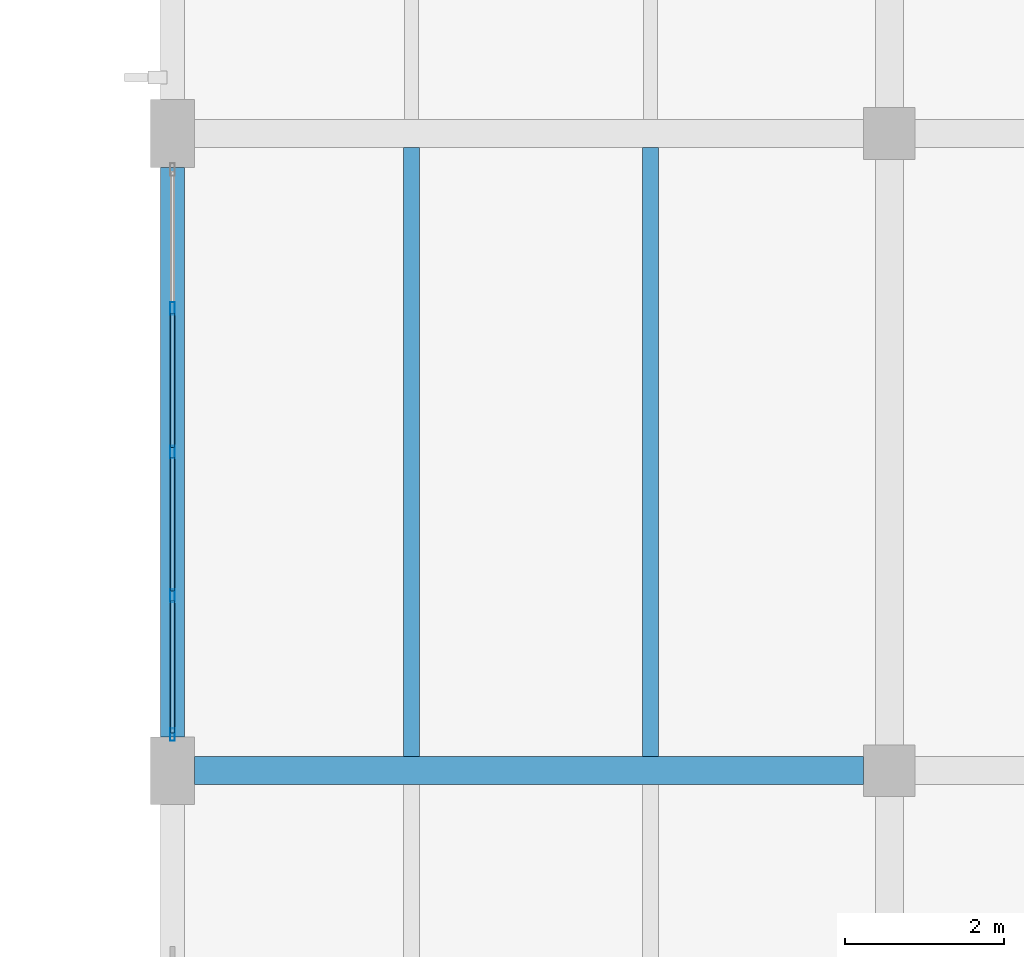
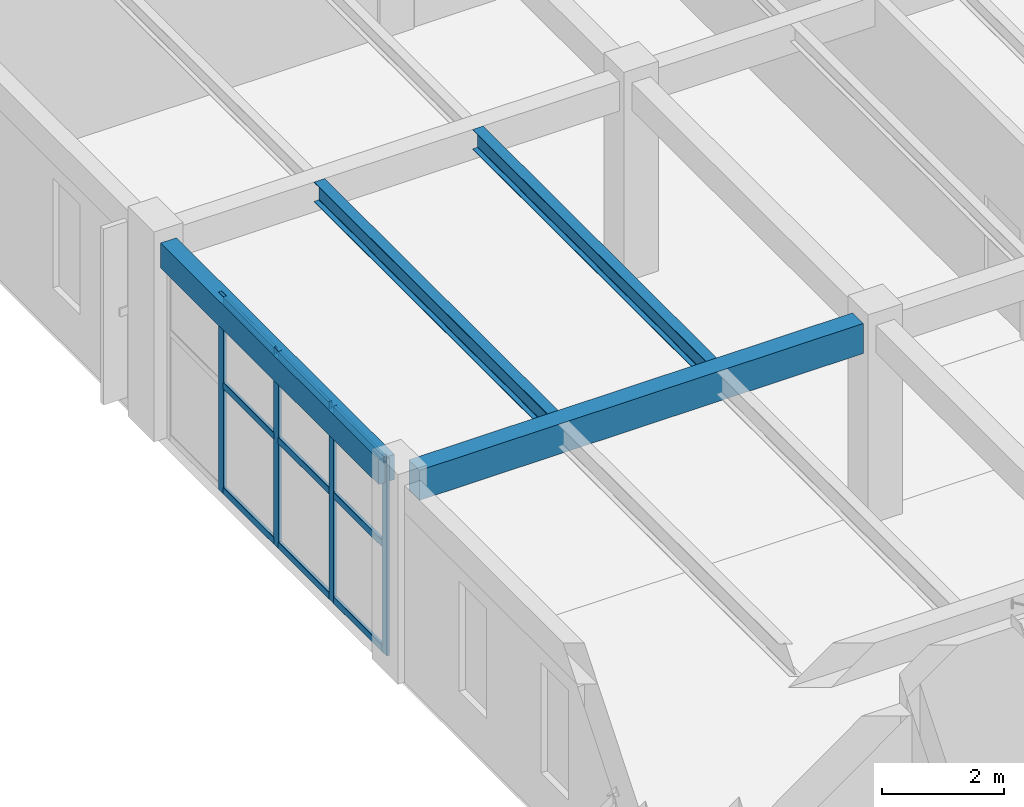
# One storey, part 39 of 71: 13 members, 4 beams, 1 element without a shape of its own.
"""IFC4 building model written with IfcOpenShell, lengths in metres."""

import ifcopenshell
import ifcopenshell.guid

model = None  # the IFC model being written
_history = None  # IfcOwnerHistory: only IFC2X3 demands one
_inside = {}  # id of a spatial element -> (the spatial element, [elements in it])
_under = {}  # id of a project, library or spatial element -> (it, [spatial elements below it])
_declared = {}  # id of a project -> (the project, [libraries it declares])
_typed = {}  # id of a type object -> (the type object, [elements of that type])
_made_of = {}  # id of a material, layer set ... -> (it, [elements and type objects made of it])


def new_model(schema):
    """Start an empty IFC model of exactly this schema.

    Asked for "IFC4X3", IfcOpenShell would pick the latest addendum, in which some entities
    have other attributes; the version numbers below select the first issue.
    IFC2X3 requires an IfcOwnerHistory on every rooted entity: one is made here for all.
    """
    global model, _history
    if schema == "IFC4X3":
        model = ifcopenshell.file(schema_version=(4, 3, 0, 0))
    else:
        model = ifcopenshell.file(schema=schema)
    _inside.clear()
    _under.clear()
    _declared.clear()
    _typed.clear()
    _made_of.clear()
    _history = None
    if model.schema == "IFC2X3":
        org = make("IfcOrganization", Name="unknown")
        user = make(
            "IfcPersonAndOrganization",
            ThePerson=make("IfcPerson", FamilyName="unknown"),
            TheOrganization=org,
        )
        app = make(
            "IfcApplication",
            ApplicationDeveloper=org,
            Version="unknown",
            ApplicationFullName="unknown",
            ApplicationIdentifier="unknown",
        )
        _history = make(
            "IfcOwnerHistory",
            OwningUser=user,
            OwningApplication=app,
            ChangeAction="ADDED",
            CreationDate=0,
        )
    return model


def make(cls, **values):
    """One entity of the class cls with the attributes given. An attribute that is None is left unset."""
    return model.create_entity(
        cls, **{name: value for name, value in values.items() if value is not None}
    )


def rooted(cls, **values):
    """An entity with a GlobalId (a new one), such as an element, a storey or a relation."""
    return make(cls, GlobalId=ifcopenshell.guid.new(), OwnerHistory=_history, **values)


def si_unit(unit_type, name, prefix=None):
    """IfcSIUnit, for example si_unit("LENGTHUNIT", "METRE", prefix="MILLI")."""
    return make("IfcSIUnit", UnitType=unit_type, Prefix=prefix, Name=name)


def derived_unit(unit_type, elements):
    """IfcDerivedUnit: a product of units, each with its exponent."""
    return make(
        "IfcDerivedUnit",
        Elements=[
            make("IfcDerivedUnitElement", Unit=unit, Exponent=power)
            for unit, power in elements
        ],
        UnitType=unit_type,
    )


def assignment(units):
    """IfcUnitAssignment: the units of a project."""
    return None if units is None else make("IfcUnitAssignment", Units=units)


def point(xyz):
    """IfcCartesianPoint."""
    return None if xyz is None else make("IfcCartesianPoint", Coordinates=xyz)


def direction(xyz):
    """IfcDirection."""
    return None if xyz is None else make("IfcDirection", DirectionRatios=xyz)


def frame(location, z_axis=None, x_axis=None):
    """IfcAxis2Placement3D, a coordinate frame: its origin and axes. An axis left out is left unset."""
    return make(
        "IfcAxis2Placement3D",
        Location=point(location),
        Axis=direction(z_axis),
        RefDirection=direction(x_axis),
    )


def frame_2d(location, x_axis=None):
    """IfcAxis2Placement2D, a coordinate frame in the plane: its origin and x axis."""
    return make(
        "IfcAxis2Placement2D", Location=point(location), RefDirection=direction(x_axis)
    )


def origin():
    """The frame at (0, 0, 0) with its axes left unset."""
    return frame((0.0, 0.0, 0.0))


def origin_2d():
    """The frame at (0, 0) in the plane with its x axis left unset."""
    return frame_2d((0.0, 0.0))


def place(relative_to, where):
    """IfcLocalPlacement: puts the frame where relative to a parent placement (None: the world)."""
    return make(
        "IfcLocalPlacement", PlacementRelTo=relative_to, RelativePlacement=where
    )


def context(
    kind, dimensions, precision=None, world=None, true_north=None, identifier=None
):
    """IfcGeometricRepresentationContext, for example the 3D "Model" context."""
    return make(
        "IfcGeometricRepresentationContext",
        ContextIdentifier=identifier,
        ContextType=kind,
        CoordinateSpaceDimension=dimensions,
        Precision=precision,
        WorldCoordinateSystem=world,
        TrueNorth=true_north,
    )


def subcontext(parent, identifier, kind, view, scale=None):
    """IfcGeometricRepresentationSubContext, for example "Body" below "Model"."""
    return make(
        "IfcGeometricRepresentationSubContext",
        ContextIdentifier=identifier,
        ContextType=kind,
        ParentContext=parent,
        TargetScale=scale,
        TargetView=view,
    )


def project(units=None, contexts=None):
    """IfcProject with its units and contexts."""
    return rooted(
        "IfcProject",
        Name="project",
        RepresentationContexts=contexts,
        UnitsInContext=assignment(units),
    )


def spatial(cls, under=None, at=None, **own):
    """A site, building, storey or space (cls), placed at a placement, below another one or the project."""
    s = rooted(cls, ObjectPlacement=at, **own)
    if under is not None:
        _under.setdefault(under.id(), (under, []))[1].append(s)
    return s


def profile(cls, at=None, kind="AREA", **sizes):
    """A parametric profile (cls). Its sizes go by their IFC names, for example OverallWidth=200.0."""
    return make(cls, ProfileType=kind, Position=at, **sizes)


def rectangle(**sizes):
    """IfcRectangleProfileDef."""
    return profile("IfcRectangleProfileDef", **sizes)


def hollow_rectangle(**sizes):
    """IfcRectangleHollowProfileDef."""
    return profile("IfcRectangleHollowProfileDef", **sizes)


def i_section(**sizes):
    """IfcIShapeProfileDef."""
    return profile("IfcIShapeProfileDef", **sizes)


def extrude(swept, where, along, depth):
    """IfcExtrudedAreaSolid: the profile swept, set in the frame where, extruded along a direction by depth."""
    return make(
        "IfcExtrudedAreaSolid",
        SweptArea=swept,
        Position=where,
        ExtrudedDirection=direction(along),
        Depth=depth,
    )


def shape(context_of_items, identifier, shape_type, items):
    """IfcShapeRepresentation: the items that make up one representation, for example the "Body"."""
    return make(
        "IfcShapeRepresentation",
        ContextOfItems=context_of_items,
        RepresentationIdentifier=identifier,
        RepresentationType=shape_type,
        Items=items,
    )


def material(Name=None, Category=None):
    """IfcMaterial."""
    return make("IfcMaterial", Name=Name, Category=Category)


def material_profile(
    of_material, cross_section, Name=None, Category=None, Priority=None
):
    """IfcMaterialProfile: a cross section and its material."""
    return make(
        "IfcMaterialProfile",
        Name=Name,
        Material=of_material,
        Profile=cross_section,
        Priority=Priority,
        Category=Category,
    )


def profile_set(profiles, Name=None, composite=None):
    """IfcMaterialProfileSet."""
    return make(
        "IfcMaterialProfileSet",
        Name=Name,
        MaterialProfiles=profiles,
        CompositeProfile=composite,
    )


def made_of(thing, what):
    """Note that an element or type object is made of a material, layer set ...; save() writes the relation."""
    if what is not None:
        _made_of.setdefault(what.id(), (what, []))[1].append(thing)
    return thing


def type_object(cls, material=None, **own):
    """A type object (cls), such as IfcWallType, which elements share."""
    return made_of(rooted(cls, **own), material)


def element(
    cls,
    number,
    at=None,
    inside=None,
    cuts=None,
    type_object=None,
    material=None,
    context=None,
    identifier="Body",
    shape_type=None,
    held_by="IfcProductDefinitionShape",
    body=None,
    shapes=None,
    **own,
):
    """One element of the class cls, such as IfcWall. Its Tag is "e" and its number.

    at: its placement. inside: the storey or other place that contains it. cuts: it is an
    opening in that element (IfcRelVoidsElement). A single representation is given by context,
    identifier, shape_type and body (its items); several are given by shapes. held_by: the class
    of the entity that holds the representations. save() writes the other relations.
    """
    e = rooted(cls, Tag="e%d" % number, ObjectPlacement=at, **own)
    if body is not None:
        shapes = [shape(context, identifier, shape_type, body)]
    if shapes is not None:
        e.Representation = make(held_by, Representations=shapes)
    if inside is not None:
        _inside.setdefault(inside.id(), (inside, []))[1].append(e)
    if cuts is not None:
        rooted(
            "IfcRelVoidsElement", RelatingBuildingElement=cuts, RelatedOpeningElement=e
        )
    if type_object is not None:
        _typed.setdefault(type_object.id(), (type_object, []))[1].append(e)
    return made_of(e, material)


def aggregate(whole, parts):
    """IfcRelAggregates: a whole, such as a stair, and the parts it consists of."""
    return rooted("IfcRelAggregates", RelatingObject=whole, RelatedObjects=parts)


def save(model, path):
    """Write the relations noted so far, then the file.

    IfcRelAggregates (storeys below a building ...), IfcRelContainedInSpatialStructure (elements
    in a storey), IfcRelDefinesByType, IfcRelAssociatesMaterial and IfcRelDeclares: one each for
    every whole, place, type object, material and project.
    """
    for whole, parts in _under.values():
        aggregate(whole, parts)
    for where, things in _inside.values():
        rooted(
            "IfcRelContainedInSpatialStructure",
            RelatedElements=things,
            RelatingStructure=where,
        )
    for kind, things in _typed.values():
        rooted("IfcRelDefinesByType", RelatedObjects=things, RelatingType=kind)
    for what, things in _made_of.values():
        rooted("IfcRelAssociatesMaterial", RelatedObjects=things, RelatingMaterial=what)
    for by, libraries in _declared.values():
        rooted("IfcRelDeclares", RelatingContext=by, RelatedDefinitions=libraries)
    model.write(path)


model = new_model("IFC4")

# Units and contexts
model_context = context("Model", 3, precision=1e-05, world=origin(), true_north=direction((0.0, 1.0)))
body_context = subcontext(model_context, "Body", "Model", "MODEL_VIEW")
ifc_project = project(units=[si_unit("LENGTHUNIT", "METRE"), si_unit("AREAUNIT", "SQUARE_METRE"), si_unit("VOLUMEUNIT", "CUBIC_METRE"), si_unit("PLANEANGLEUNIT", "RADIAN"), si_unit("MASSUNIT", "GRAM", prefix="KILO"), derived_unit("THERMALTRANSMITTANCEUNIT", [(si_unit("MASSUNIT", "GRAM", prefix="KILO"), 1), (si_unit("TIMEUNIT", "SECOND"), -3), (si_unit("THERMODYNAMICTEMPERATUREUNIT", "KELVIN"), -1)])], contexts=[model_context])

# Site, building, storey
site_placement = place(None, origin())
site = spatial("IfcSite", under=ifc_project, at=site_placement, CompositionType="ELEMENT")
building_placement = place(site_placement, origin())
building = spatial("IfcBuilding", under=site, at=building_placement, Name="Zhenchuan Archway Interchange", CompositionType="ELEMENT")
storey_placement = place(building_placement, frame((0.0, 0.0, 18.60009765625)))
storey = spatial("IfcBuildingStorey", under=building, at=storey_placement, Name="L04", CompositionType="ELEMENT", Elevation=18.60009765625)

# Beam
ifc_material_1 = material(Name="Concrete C40", Category="concrete")
ifc_material_profile_1 = material_profile(ifc_material_1, rectangle(XDim=0.35009765625, YDim=0.60009765625, at=origin_2d()), Name="RC 350x600")
ifc_profile_set_1 = profile_set([ifc_material_profile_1], Name="Concrete C40")
beam_type_1 = type_object("IfcBeamType", Name="BM_RC_350x600", PredefinedType="BEAM", material=ifc_profile_set_1)
beam_1_placement = place(storey_placement, frame((144.27490234375, 72.0, 3.639892578125), z_axis=(1.0, 0.0, 0.0), x_axis=(0.0, 1.0, 0.0)))
element("IfcBeam", 1, at=beam_1_placement, inside=storey, type_object=beam_type_1, Name="Beam K:17-18 (L04)", PredefinedType="BEAM", context=body_context, shape_type="SweptSolid", body=[
    extrude(rectangle(XDim=0.35009765625, YDim=0.60009765625, at=origin_2d()), origin(), (0.0, 0.0, 1.0), 8.400146484375),
])

# Curtain wall, members
ifc_material_2 = material(Name="Anodised Aluminium", Category="aluminium")
curtain_wall_type = type_object("IfcCurtainWallType", Name="CW_UNIT_1", PredefinedType="NOTDEFINED", material=ifc_material_2)
curtain_wall_placement = place(storey_placement, origin())
curtain_wall = element("IfcCurtainWall", 2, at=curtain_wall_placement, inside=storey, type_object=curtain_wall_type, Name="Unitised curtain wall CW:L04:192", PredefinedType="NOTDEFINED")
ifc_material_profile_2 = material_profile(ifc_material_2, hollow_rectangle(XDim=0.06005859375, YDim=0.159912109375, WallThickness=0.00390625, InnerFilletRadius=0.00390625, OuterFilletRadius=0.008056640625, at=origin_2d()), Name="ALU 160x60x4")
ifc_profile_set_2 = profile_set([ifc_material_profile_2], Name="Anodised Aluminium")
member_type_1 = type_object("IfcMemberType", Name="CW_MUL_150", PredefinedType="MULLION", material=ifc_profile_set_2)
member_1_placement = place(storey_placement, frame((144.0, 72.452880859375, 0.0), z_axis=(0.0, 0.0, 1.0), x_axis=(1.0, 0.0, 0.0)))
member_1 = element("IfcMember", 3, at=member_1_placement, type_object=member_type_1, Name="CW:L04:192 mullion 0", PredefinedType="MULLION", context=body_context, shape_type="SweptSolid", body=[
    extrude(hollow_rectangle(XDim=0.06005859375, YDim=0.159912109375, WallThickness=0.00390625, InnerFilletRadius=0.00390625, OuterFilletRadius=0.008056640625, at=origin_2d()), origin(), (0.0, 0.0, 1.0), 3.93994140625),
])
member_2_placement = place(storey_placement, frame((144.0, 74.196533203125, 0.0), z_axis=(0.0, 0.0, 1.0), x_axis=(1.0, 0.0, 0.0)))
member_2 = element("IfcMember", 4, at=member_2_placement, type_object=member_type_1, Name="CW:L04:192 mullion 1", PredefinedType="MULLION", context=body_context, shape_type="SweptSolid", body=[
    extrude(hollow_rectangle(XDim=0.06005859375, YDim=0.159912109375, WallThickness=0.00390625, InnerFilletRadius=0.00390625, OuterFilletRadius=0.008056640625, at=origin_2d()), origin(), (0.0, 0.0, 1.0), 3.93994140625),
])
member_3_placement = place(storey_placement, frame((144.0, 76.0, 0.0), z_axis=(0.0, 0.0, 1.0), x_axis=(1.0, 0.0, 0.0)))
member_3 = element("IfcMember", 5, at=member_3_placement, type_object=member_type_1, Name="CW:L04:192 mullion 2", PredefinedType="MULLION", context=body_context, shape_type="SweptSolid", body=[
    extrude(hollow_rectangle(XDim=0.06005859375, YDim=0.159912109375, WallThickness=0.00390625, InnerFilletRadius=0.00390625, OuterFilletRadius=0.008056640625, at=origin_2d()), origin(), (0.0, 0.0, 1.0), 3.93994140625),
])
member_4_placement = place(storey_placement, frame((144.0, 77.803466796875, 0.0), z_axis=(0.0, 0.0, 1.0), x_axis=(1.0, 0.0, 0.0)))
member_4 = element("IfcMember", 6, at=member_4_placement, type_object=member_type_1, Name="CW:L04:192 mullion 3", PredefinedType="MULLION", context=body_context, shape_type="SweptSolid", body=[
    extrude(hollow_rectangle(XDim=0.06005859375, YDim=0.159912109375, WallThickness=0.00390625, InnerFilletRadius=0.00390625, OuterFilletRadius=0.008056640625, at=origin_2d()), origin(), (0.0, 0.0, 1.0), 3.93994140625),
])
ifc_material_profile_3 = material_profile(ifc_material_2, hollow_rectangle(XDim=0.06005859375, YDim=0.139892578125, WallThickness=0.00341796875, InnerFilletRadius=0.00341796875, OuterFilletRadius=0.007080078125, at=origin_2d()), Name="ALU 140x60x3.5")
ifc_profile_set_3 = profile_set([ifc_material_profile_3], Name="Anodised Aluminium")
member_type_2 = type_object("IfcMemberType", Name="CW_TRN_140", PredefinedType="USERDEFINED", material=ifc_profile_set_3)
member_5_placement = place(storey_placement, frame((144.0, 72.472900390625, 0.059814453125), z_axis=(0.0, 1.0, 0.0), x_axis=(-1.0, 0.0, 0.0)))
member_5 = element("IfcMember", 7, at=member_5_placement, type_object=member_type_2, Name="CW:L04:192 transom 0-1", ObjectType="TRANSOM", PredefinedType="USERDEFINED", context=body_context, shape_type="SweptSolid", body=[
    extrude(hollow_rectangle(XDim=0.06005859375, YDim=0.139892578125, WallThickness=0.00341796875, InnerFilletRadius=0.00341796875, OuterFilletRadius=0.007080078125, at=origin_2d()), origin(), (0.0, 0.0, 1.0), 1.66357421875),
])
member_6_placement = place(storey_placement, frame((144.0, 72.472900390625, 2.156005859375), z_axis=(0.0, 1.0, 0.0), x_axis=(-1.0, 0.0, 0.0)))
member_6 = element("IfcMember", 8, at=member_6_placement, type_object=member_type_2, Name="CW:L04:192 transom 0-2", ObjectType="TRANSOM", PredefinedType="USERDEFINED", context=body_context, shape_type="SweptSolid", body=[
    extrude(hollow_rectangle(XDim=0.06005859375, YDim=0.139892578125, WallThickness=0.00341796875, InnerFilletRadius=0.00341796875, OuterFilletRadius=0.007080078125, at=origin_2d()), origin(), (0.0, 0.0, 1.0), 1.66357421875),
])
member_7_placement = place(storey_placement, frame((144.0, 72.472900390625, 3.85986328125), z_axis=(0.0, 1.0, 0.0), x_axis=(-1.0, 0.0, 0.0)))
member_7 = element("IfcMember", 9, at=member_7_placement, type_object=member_type_2, Name="CW:L04:192 transom 0-3", ObjectType="TRANSOM", PredefinedType="USERDEFINED", context=body_context, shape_type="SweptSolid", body=[
    extrude(hollow_rectangle(XDim=0.06005859375, YDim=0.139892578125, WallThickness=0.00341796875, InnerFilletRadius=0.00341796875, OuterFilletRadius=0.007080078125, at=origin_2d()), origin(), (0.0, 0.0, 1.0), 1.66357421875),
])
member_8_placement = place(storey_placement, frame((144.0, 74.256591796875, 0.059814453125), z_axis=(0.0, 1.0, 0.0), x_axis=(-1.0, 0.0, 0.0)))
member_8 = element("IfcMember", 10, at=member_8_placement, type_object=member_type_2, Name="CW:L04:192 transom 1-1", ObjectType="TRANSOM", PredefinedType="USERDEFINED", context=body_context, shape_type="SweptSolid", body=[
    extrude(hollow_rectangle(XDim=0.06005859375, YDim=0.139892578125, WallThickness=0.00341796875, InnerFilletRadius=0.00341796875, OuterFilletRadius=0.007080078125, at=origin_2d()), origin(), (0.0, 0.0, 1.0), 1.683349609375),
])
member_9_placement = place(storey_placement, frame((144.0, 74.256591796875, 2.156005859375), z_axis=(0.0, 1.0, 0.0), x_axis=(-1.0, 0.0, 0.0)))
member_9 = element("IfcMember", 11, at=member_9_placement, type_object=member_type_2, Name="CW:L04:192 transom 1-2", ObjectType="TRANSOM", PredefinedType="USERDEFINED", context=body_context, shape_type="SweptSolid", body=[
    extrude(hollow_rectangle(XDim=0.06005859375, YDim=0.139892578125, WallThickness=0.00341796875, InnerFilletRadius=0.00341796875, OuterFilletRadius=0.007080078125, at=origin_2d()), origin(), (0.0, 0.0, 1.0), 1.683349609375),
])
member_10_placement = place(storey_placement, frame((144.0, 74.256591796875, 3.85986328125), z_axis=(0.0, 1.0, 0.0), x_axis=(-1.0, 0.0, 0.0)))
member_10 = element("IfcMember", 12, at=member_10_placement, type_object=member_type_2, Name="CW:L04:192 transom 1-3", ObjectType="TRANSOM", PredefinedType="USERDEFINED", context=body_context, shape_type="SweptSolid", body=[
    extrude(hollow_rectangle(XDim=0.06005859375, YDim=0.139892578125, WallThickness=0.00341796875, InnerFilletRadius=0.00341796875, OuterFilletRadius=0.007080078125, at=origin_2d()), origin(), (0.0, 0.0, 1.0), 1.683349609375),
])
member_11_placement = place(storey_placement, frame((144.0, 76.06005859375, 0.059814453125), z_axis=(0.0, 1.0, 0.0), x_axis=(-1.0, 0.0, 0.0)))
member_11 = element("IfcMember", 13, at=member_11_placement, type_object=member_type_2, Name="CW:L04:192 transom 2-1", ObjectType="TRANSOM", PredefinedType="USERDEFINED", context=body_context, shape_type="SweptSolid", body=[
    extrude(hollow_rectangle(XDim=0.06005859375, YDim=0.139892578125, WallThickness=0.00341796875, InnerFilletRadius=0.00341796875, OuterFilletRadius=0.007080078125, at=origin_2d()), origin(), (0.0, 0.0, 1.0), 1.683349609375),
])
member_12_placement = place(storey_placement, frame((144.0, 76.06005859375, 2.156005859375), z_axis=(0.0, 1.0, 0.0), x_axis=(-1.0, 0.0, 0.0)))
member_12 = element("IfcMember", 14, at=member_12_placement, type_object=member_type_2, Name="CW:L04:192 transom 2-2", ObjectType="TRANSOM", PredefinedType="USERDEFINED", context=body_context, shape_type="SweptSolid", body=[
    extrude(hollow_rectangle(XDim=0.06005859375, YDim=0.139892578125, WallThickness=0.00341796875, InnerFilletRadius=0.00341796875, OuterFilletRadius=0.007080078125, at=origin_2d()), origin(), (0.0, 0.0, 1.0), 1.683349609375),
])
member_13_placement = place(storey_placement, frame((144.0, 76.06005859375, 3.85986328125), z_axis=(0.0, 1.0, 0.0), x_axis=(-1.0, 0.0, 0.0)))
member_13 = element("IfcMember", 15, at=member_13_placement, type_object=member_type_2, Name="CW:L04:192 transom 2-3", ObjectType="TRANSOM", PredefinedType="USERDEFINED", context=body_context, shape_type="SweptSolid", body=[
    extrude(hollow_rectangle(XDim=0.06005859375, YDim=0.139892578125, WallThickness=0.00341796875, InnerFilletRadius=0.00341796875, OuterFilletRadius=0.007080078125, at=origin_2d()), origin(), (0.0, 0.0, 1.0), 1.683349609375),
])
aggregate(curtain_wall, [member_1, member_2, member_3, member_4, member_5, member_6, member_7, member_8, member_9, member_10, member_11, member_12, member_13])

# Beams
ifc_material_3 = material(Name="Steel Q355", Category="steel")
ifc_material_profile_4 = material_profile(ifc_material_3, i_section(OverallWidth=0.199951171875, OverallDepth=0.39990234375, WebThickness=0.008056640625, FlangeThickness=0.012939453125, FilletRadius=0.01611328125, at=origin_2d()), Name="HN 400x200")
ifc_profile_set_4 = profile_set([ifc_material_profile_4], Name="Steel Q355")
beam_type_2 = type_object("IfcBeamType", Name="JST_STL_HN400", PredefinedType="JOIST", material=ifc_profile_set_4)
for number, where, z_axis, x_axis, name in (
    (16, (147.0, 72.175048828125, 3.739990234375), (0.0, 1.0, 0.0), (-1.0, 0.0, 0.0), "Secondary joist 17-18/K-L #1 (L04)"),
    (17, (150.0, 72.175048828125, 3.739990234375), (0.0, 1.0, 0.0), (-1.0, 0.0, 0.0), "Secondary joist 17-18/K-L #2 (L04)"),
):
    element("IfcBeam", number, at=place(storey_placement, frame(where, z_axis=z_axis, x_axis=x_axis)), inside=storey, type_object=beam_type_2, Name=name, PredefinedType="JOIST", context=body_context, shape_type="SweptSolid", body=[
        extrude(i_section(OverallWidth=0.199951171875, OverallDepth=0.39990234375, WebThickness=0.008056640625, FlangeThickness=0.012939453125, FilletRadius=0.01611328125, at=origin_2d()), origin(), (0.0, 0.0, 1.0), 7.64990234375),
    ])
ifc_material_profile_5 = material_profile(ifc_material_1, rectangle(XDim=0.300048828125, YDim=0.5, at=origin_2d()), Name="RC 300x500")
ifc_profile_set_5 = profile_set([ifc_material_profile_5], Name="Concrete C40")
beam_type_3 = type_object("IfcBeamType", Name="SP_RC_300x500", PredefinedType="SPANDREL", material=ifc_profile_set_5)
beam_2_placement = place(storey_placement, frame((144.0, 72.425048828125, 3.68994140625), z_axis=(0.0, 1.0, 0.0), x_axis=(-1.0, 0.0, 0.0)))
element("IfcBeam", 18, at=beam_2_placement, inside=storey, type_object=beam_type_3, Name="Beam 17:K-L (L04)", PredefinedType="SPANDREL", context=body_context, shape_type="SweptSolid", body=[
    extrude(rectangle(XDim=0.300048828125, YDim=0.5, at=origin_2d()), origin(), (0.0, 0.0, 1.0), 7.14990234375),
])

save(model, "model.ifc")
